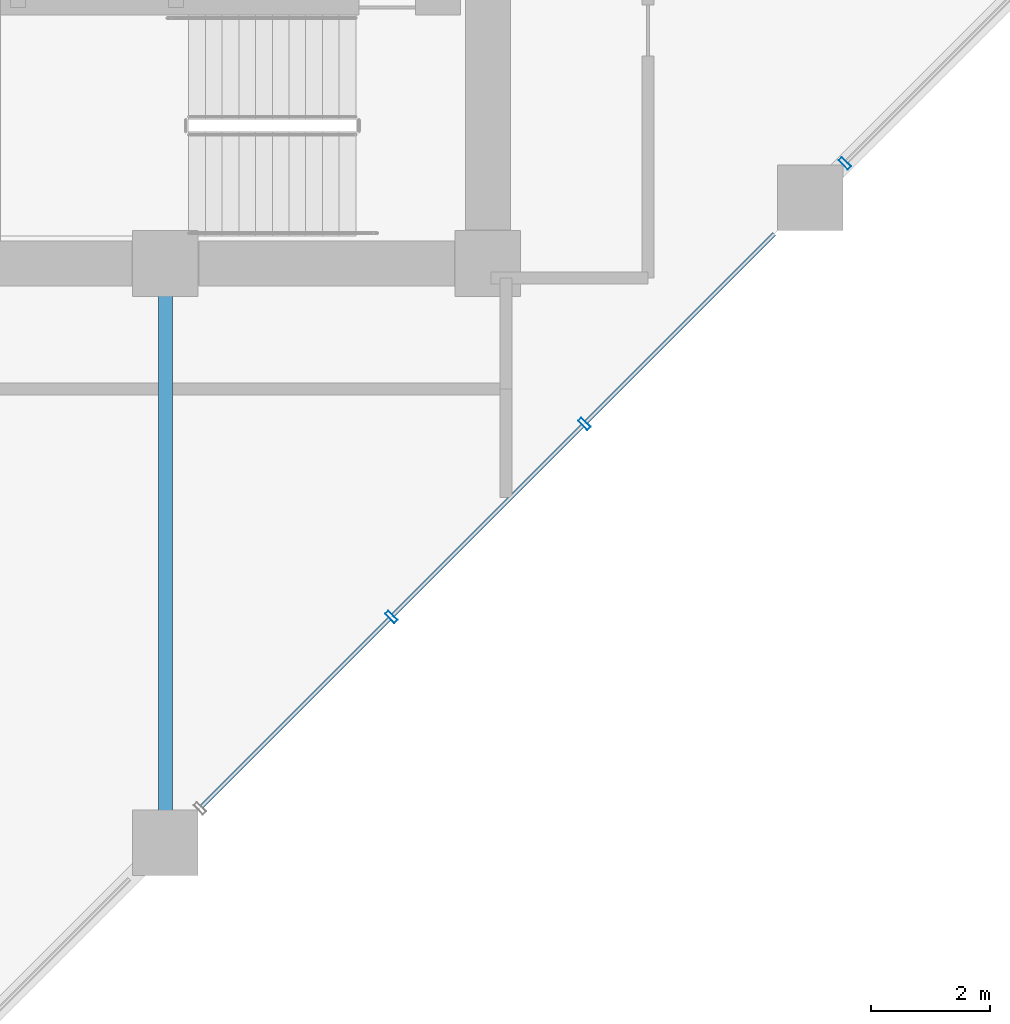
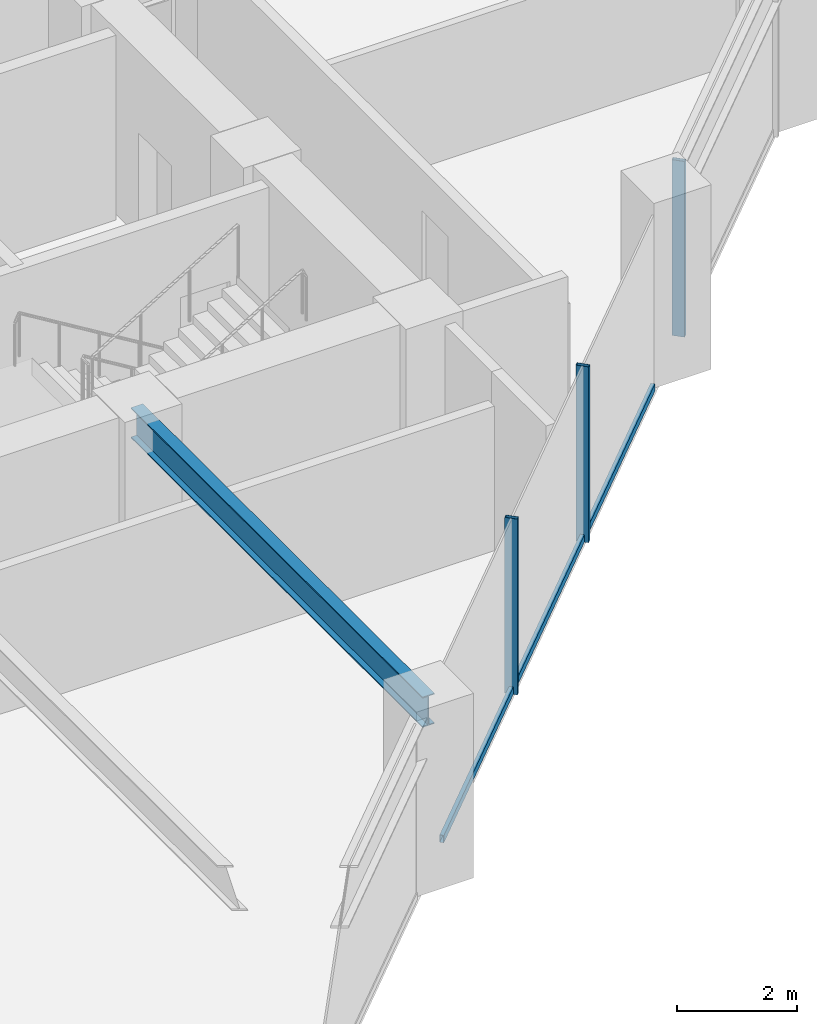
# One storey, part 7 of 25: 6 members, 1 beam, 1 element without a shape of its own.
"""IFC4 building model written with IfcOpenShell, lengths in metres."""

from ifc_helpers import new_model, si_unit, direction, frame, origin, origin_2d, place, context, subcontext, project, spatial, hollow_rectangle, i_section, extrude, material, layer, layer_set, material_profile, profile_set, type_object, element, aggregate, save


model = new_model("IFC4")

# Units and contexts
model_context = context("Model", 3, precision=1e-05, world=origin(), true_north=direction((0.0, 1.0)))
body_context = subcontext(model_context, "Body", "Model", "MODEL_VIEW")
ifc_project = project(units=[si_unit("LENGTHUNIT", "METRE"), si_unit("AREAUNIT", "SQUARE_METRE"), si_unit("VOLUMEUNIT", "CUBIC_METRE"), si_unit("PLANEANGLEUNIT", "RADIAN"), si_unit("MASSUNIT", "GRAM", prefix="KILO")], contexts=[model_context])

# Site, building, storey
site_placement = place(None, origin())
site = spatial("IfcSite", under=ifc_project, at=site_placement, CompositionType="ELEMENT")
building_placement = place(site_placement, origin())
building = spatial("IfcBuilding", under=site, at=building_placement, Name="Surkhivell Harbour Commons", CompositionType="ELEMENT")
storey_placement = place(building_placement, frame((0.0, 0.0, 94.5)))
storey = spatial("IfcBuildingStorey", under=building, at=storey_placement, Name="L24", CompositionType="ELEMENT", Elevation=94.5)

# Beam
ifc_material_1 = material(Name="Steel S355", Category="steel")
ifc_material_profile_1 = material_profile(ifc_material_1, i_section(OverallWidth=0.22998046875, OverallDepth=0.616943359375, WebThickness=0.01318359375, FlangeThickness=0.022216796875, at=origin_2d()), Name="UB610x229x140")
ifc_profile_set_1 = profile_set([ifc_material_profile_1], Name="Steel S355")
beam_type = type_object("IfcBeamType", Name="BM-GRD-610B", PredefinedType="BEAM", material=ifc_profile_set_1)
beam_placement = place(storey_placement, frame((5.39990234375, -20.5, 3.261474609375), z_axis=(0.0, 1.0, 0.0), x_axis=(-1.0, 0.0, 0.0)))
element("IfcBeam", 1, at=beam_placement, inside=storey, type_object=beam_type, Name="L24 Floor Girder (5.4,-20.5)", PredefinedType="BEAM", context=body_context, shape_type="SweptSolid", body=[
    extrude(i_section(OverallWidth=0.22998046875, OverallDepth=0.616943359375, WebThickness=0.01318359375, FlangeThickness=0.022216796875, at=origin_2d()), origin(), (0.0, 0.0, 1.0), 9.699951171875),
])

# Curtain wall, members
ifc_material_2 = material(Name="Anodised pale-metal aluminium and insulated glazing", Category="aluminium")
ifc_layer = layer(ifc_material_2, 0.205078125)
ifc_layer_set = layer_set([ifc_layer], Name="Anodised pale-metal aluminium and insulated glazing")
curtain_wall_type = type_object("IfcCurtainWallType", Name="CW-SYS-Z2", PredefinedType="NOTDEFINED", material=ifc_layer_set)
curtain_wall_placement = place(storey_placement, origin())
curtain_wall = element("IfcCurtainWall", 2, at=curtain_wall_placement, inside=storey, type_object=curtain_wall_type, Name="L24 Curtain Wall CW-L24-E01", PredefinedType="NOTDEFINED")
ifc_material_3 = material(Name="Anodised pale-metal aluminium alloy 6063-T6", Category="aluminium")
ifc_material_profile_2 = material_profile(ifc_material_3, hollow_rectangle(XDim=0.074951171875, YDim=0.219970703125, WallThickness=0.00390625, at=origin_2d()), Name="ALU-MULL-75x220")
ifc_profile_set_2 = profile_set([ifc_material_profile_2], Name="Anodised pale-metal aluminium alloy 6063-T6")
member_type_1 = type_object("IfcMemberType", Name="CWM-220", PredefinedType="MULLION", material=ifc_profile_set_2)
member_1_placement = place(storey_placement, frame((9.183837890625, -16.716064453125, 0.0), z_axis=(0.0, 0.0, 1.0), x_axis=(0.707106781187, 0.707106781187, 0.0)))
member_1 = element("IfcMember", 3, at=member_1_placement, type_object=member_type_1, Name="CW-Z2 mullion 3", PredefinedType="MULLION", context=body_context, shape_type="SweptSolid", body=[
    extrude(hollow_rectangle(XDim=0.074951171875, YDim=0.219970703125, WallThickness=0.00390625, at=origin_2d()), origin(), (0.0, 0.0, 1.0), 3.570068359375),
])
member_2_placement = place(storey_placement, frame((12.416015625, -13.48388671875, 0.0), z_axis=(0.0, 0.0, 1.0), x_axis=(0.707106781187, 0.707106781187, 0.0)))
member_2 = element("IfcMember", 4, at=member_2_placement, type_object=member_type_1, Name="CW-Z2 mullion 4", PredefinedType="MULLION", context=body_context, shape_type="SweptSolid", body=[
    extrude(hollow_rectangle(XDim=0.074951171875, YDim=0.219970703125, WallThickness=0.00390625, at=origin_2d()), origin(), (0.0, 0.0, 1.0), 3.570068359375),
])
member_3_placement = place(storey_placement, frame((16.7783203125, -9.121826171875, 0.0), z_axis=(0.0, 0.0, 1.0), x_axis=(0.707106781187, 0.707106781187, 0.0)))
member_3 = element("IfcMember", 5, at=member_3_placement, type_object=member_type_1, Name="CW-Z2 mullion 5", PredefinedType="MULLION", context=body_context, shape_type="SweptSolid", body=[
    extrude(hollow_rectangle(XDim=0.074951171875, YDim=0.219970703125, WallThickness=0.00390625, at=origin_2d()), origin(), (0.0, 0.0, 1.0), 3.570068359375),
])
ifc_material_profile_3 = material_profile(ifc_material_3, hollow_rectangle(XDim=0.074951171875, YDim=0.14990234375, WallThickness=0.00341796875, at=origin_2d()), Name="ALU-TRAN-75x150")
ifc_profile_set_3 = profile_set([ifc_material_profile_3], Name="Anodised pale-metal aluminium alloy 6063-T6")
member_type_2 = type_object("IfcMemberType", Name="CWT-150", PredefinedType="USERDEFINED", material=ifc_profile_set_3)
member_4_placement = place(storey_placement, frame((6.004638671875, -19.895263671875, 0.074951171875), z_axis=(0.707134159244, 0.707079402069, 0.0), x_axis=(-0.707079402069, 0.707134159244, 0.0)))
member_4 = element("IfcMember", 6, at=member_4_placement, type_object=member_type_2, Name="CW-Z2 transom 2.1", ObjectType="TRANSOM", PredefinedType="USERDEFINED", context=body_context, shape_type="SweptSolid", body=[
    extrude(hollow_rectangle(XDim=0.074951171875, YDim=0.14990234375, WallThickness=0.00341796875, at=origin_2d()), origin(), (0.0, 0.0, 1.0), 4.45849609375),
])
member_5_placement = place(storey_placement, frame((9.21044921875, -16.689697265625, 0.074951171875), z_axis=(0.707106781187, 0.707106781187, 0.0), x_axis=(-0.707106781187, 0.707106781187, 0.0)))
member_5 = element("IfcMember", 7, at=member_5_placement, type_object=member_type_2, Name="CW-Z2 transom 3.1", ObjectType="TRANSOM", PredefinedType="USERDEFINED", context=body_context, shape_type="SweptSolid", body=[
    extrude(hollow_rectangle(XDim=0.074951171875, YDim=0.14990234375, WallThickness=0.00341796875, at=origin_2d()), origin(), (0.0, 0.0, 1.0), 4.49609375),
])
member_6_placement = place(storey_placement, frame((12.442626953125, -13.457275390625, 0.074951171875), z_axis=(0.707106781187, 0.707106781187, 0.0), x_axis=(-0.707106781187, 0.707106781187, 0.0)))
member_6 = element("IfcMember", 8, at=member_6_placement, type_object=member_type_2, Name="CW-Z2 transom 4.1", ObjectType="TRANSOM", PredefinedType="USERDEFINED", context=body_context, shape_type="SweptSolid", body=[
    extrude(hollow_rectangle(XDim=0.074951171875, YDim=0.14990234375, WallThickness=0.00341796875, at=origin_2d()), origin(), (0.0, 0.0, 1.0), 4.45849609375),
])
aggregate(curtain_wall, [member_1, member_2, member_4, member_5, member_6, member_3])

save(model, "model.ifc")
